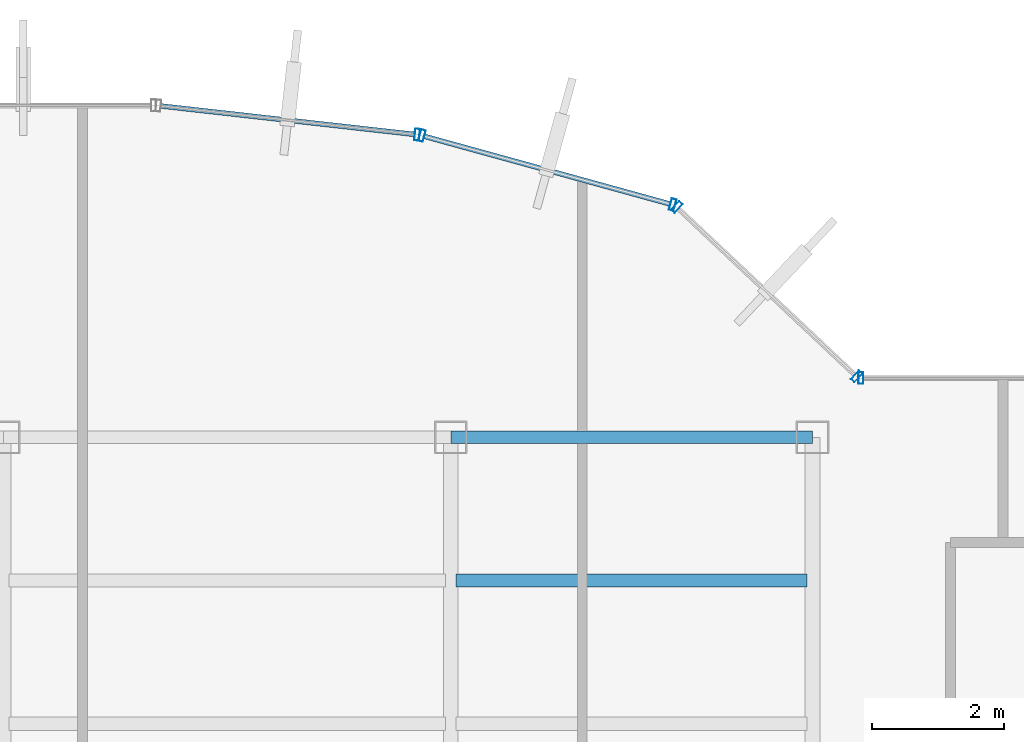
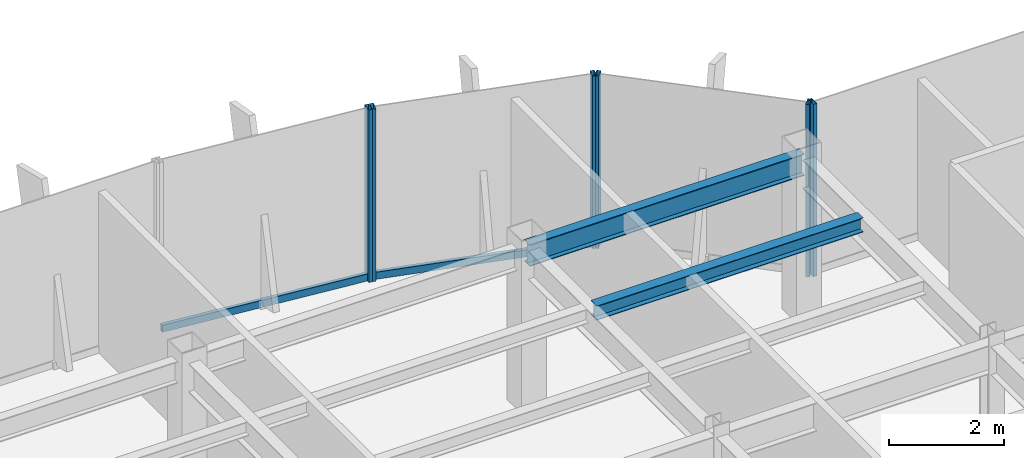
# One storey, part 14 of 22: 8 members, 2 beams, 4 elements without a shape of their own.
"""IFC4 building model written with IfcOpenShell, lengths in metres."""

from ifc_helpers import new_model, si_unit, derived_unit, direction, frame, origin, origin_2d, place, context, subcontext, project, spatial, hollow_rectangle, i_section, extrude, source, transform, mapped, material, material_profile, profile_set, type_object, element, aggregate, save


model = new_model("IFC4")

# Units and contexts
model_context = context("Model", 3, precision=1e-05, world=origin(), true_north=direction((0.0, 1.0)))
body_context = subcontext(model_context, "Body", "Model", "MODEL_VIEW")
ifc_project = project(units=[si_unit("LENGTHUNIT", "METRE"), si_unit("AREAUNIT", "SQUARE_METRE"), si_unit("VOLUMEUNIT", "CUBIC_METRE"), si_unit("PLANEANGLEUNIT", "RADIAN"), si_unit("MASSUNIT", "GRAM", prefix="KILO"), derived_unit("THERMALTRANSMITTANCEUNIT", [(si_unit("POWERUNIT", "WATT"), 1), (si_unit("LENGTHUNIT", "METRE"), -2), (si_unit("THERMODYNAMICTEMPERATUREUNIT", "KELVIN"), -1)])], contexts=[model_context])

# Site, building, storey
site_placement = place(None, origin())
site = spatial("IfcSite", under=ifc_project, at=site_placement, CompositionType="ELEMENT")
building_placement = place(site_placement, origin())
building = spatial("IfcBuilding", under=site, at=building_placement, Name="Skarnbrae Concourse Arena and Tower", CompositionType="ELEMENT")
storey_placement = place(building_placement, frame((0.0, 0.0, 273.39990234375)))
storey = spatial("IfcBuildingStorey", under=building, at=storey_placement, Name="L71", CompositionType="ELEMENT", Elevation=273.39990234375)

# Beams
ifc_material_1 = material(Name="Steel CSA G40.21 350W", Category="steel")
ifc_material_profile_1 = material_profile(ifc_material_1, i_section(OverallWidth=0.19091796875, OverallDepth=0.4599609375, WebThickness=0.010009765625, FlangeThickness=0.01611328125, at=origin_2d()), Name="W460X82")
ifc_profile_set_1 = profile_set([ifc_material_profile_1], Name="Steel CSA G40.21 350W")
beam_type_1 = type_object("IfcBeamType", Name="BM-SPAN-W460X82", PredefinedType="SPANDREL", material=ifc_profile_set_1)
shared_shape_1 = source(origin(), body_context, "Body", "SweptSolid", [
    extrude(i_section(OverallWidth=0.19091796875, OverallDepth=0.4599609375, WebThickness=0.010009765625, FlangeThickness=0.01611328125, at=origin_2d()), origin(), (0.0, 0.0, 1.0), 5.5),
])
beam_1_placement = place(storey_placement, frame((28.0, 34.39990234375, 3.170166015625), z_axis=(1.0, 0.0, 0.0), x_axis=(0.0, 1.0, 0.0)))
element("IfcBeam", 1, at=beam_1_placement, inside=storey, type_object=beam_type_1, Name="L71 Perimeter spandrel Y34.4-4", PredefinedType="SPANDREL", context=body_context, shape_type="MappedRepresentation", body=[
    mapped(shared_shape_1, transform((0.0, 0.0, 0.0))),
])
ifc_material_profile_2 = material_profile(ifc_material_1, i_section(OverallWidth=0.202880859375, OverallDepth=0.302978515625, WebThickness=0.007568359375, FlangeThickness=0.01318359375, at=origin_2d()), Name="W310X60")
ifc_profile_set_2 = profile_set([ifc_material_profile_2], Name="Steel CSA G40.21 350W")
beam_type_2 = type_object("IfcBeamType", Name="BM-JOIST-W310X60", PredefinedType="JOIST", material=ifc_profile_set_2)
shared_shape_2 = source(origin(), body_context, "Body", "SweptSolid", [
    extrude(i_section(OverallWidth=0.202880859375, OverallDepth=0.302978515625, WebThickness=0.007568359375, FlangeThickness=0.01318359375, at=origin_2d()), origin(), (0.0, 0.0, 1.0), 5.33984375),
])
beam_2_placement = place(storey_placement, frame((28.080078125, 32.221923828125, 3.24853515625), z_axis=(1.0, 0.0, 0.0), x_axis=(0.0, 1.0, 0.0)))
element("IfcBeam", 2, at=beam_2_placement, inside=storey, type_object=beam_type_2, Name="L71 Secondary floor joist 3.2.4", PredefinedType="JOIST", context=body_context, shape_type="MappedRepresentation", body=[
    mapped(shared_shape_2, transform((0.0, 0.0, 0.0))),
])

# Curtain wall, member
ifc_material_2 = material(Name="Bronze anodised aluminium 6063-T6", Category="aluminium")
curtain_wall_type = type_object("IfcCurtainWallType", Name="CW-SYS-05-HIGHZONE", PredefinedType="USERDEFINED", material=ifc_material_2)
curtain_wall_1_placement = place(storey_placement, origin())
curtain_wall_1 = element("IfcCurtainWall", 3, at=curtain_wall_1_placement, inside=storey, type_object=curtain_wall_type, Name="L71 Unitised curtain wall CW-L71-E09", ObjectType="UNITISED CURTAIN WALL", PredefinedType="USERDEFINED")
ifc_material_profile_3 = material_profile(ifc_material_2, hollow_rectangle(XDim=0.074951171875, YDim=0.14990234375, WallThickness=0.00390625, at=origin_2d()), Name="ALU-TRAN-75X150")
ifc_profile_set_3 = profile_set([ifc_material_profile_3], Name="Bronze anodised aluminium 6063-T6")
member_type_1 = type_object("IfcMemberType", Name="CWT-CW-05", PredefinedType="USERDEFINED", material=ifc_profile_set_3)
shared_shape_3 = source(origin(), body_context, "Body", "SweptSolid", [
    extrude(hollow_rectangle(XDim=0.074951171875, YDim=0.14990234375, WallThickness=0.00390625, at=origin_2d()), origin(), (0.0, 0.0, 1.0), 3.878662109375),
])
member_1_placement = place(storey_placement, frame((31.33740234375, 37.946533203125, 0.0751953125), z_axis=(-0.964042677713, 0.265747465742, 0.0), x_axis=(-0.265747465742, -0.964042677713, 0.0)))
member_1 = element("IfcMember", 4, at=member_1_placement, type_object=member_type_1, Name="CW-L71-E09 Transom 1", ObjectType="TRANSOM", PredefinedType="USERDEFINED", context=body_context, shape_type="MappedRepresentation", body=[
    mapped(shared_shape_3, transform((0.0, 0.0, 0.0))),
])

curtain_wall_2_placement = place(storey_placement, origin())
curtain_wall_2 = element("IfcCurtainWall", 5, at=curtain_wall_2_placement, inside=storey, type_object=curtain_wall_type, Name="L71 Unitised curtain wall CW-L71-E10", ObjectType="UNITISED CURTAIN WALL", PredefinedType="USERDEFINED")
shared_shape_4 = source(origin(), body_context, "Body", "SweptSolid", [
    extrude(hollow_rectangle(XDim=0.074951171875, YDim=0.14990234375, WallThickness=0.00390625, at=origin_2d()), origin(), (0.0, 0.0, 1.0), 3.8837890625),
])
member_2_placement = place(storey_placement, frame((27.451416015625, 39.005615234375, 0.0751953125), z_axis=(-0.993776714154, 0.111390495128, 0.0), x_axis=(-0.111390495128, -0.993776714154, 0.0)))
member_2 = element("IfcMember", 6, at=member_2_placement, type_object=member_type_1, Name="CW-L71-E10 Transom 1", ObjectType="TRANSOM", PredefinedType="USERDEFINED", context=body_context, shape_type="MappedRepresentation", body=[
    mapped(shared_shape_4, transform((0.0, 0.0, 0.0))),
])

curtain_wall_3_placement = place(storey_placement, origin())
curtain_wall_3 = element("IfcCurtainWall", 7, at=curtain_wall_3_placement, inside=storey, type_object=curtain_wall_type, Name="L71 Unitised curtain wall CW-L71-E07", ObjectType="UNITISED CURTAIN WALL", PredefinedType="USERDEFINED")
ifc_material_profile_4 = material_profile(ifc_material_2, hollow_rectangle(XDim=0.074951171875, YDim=0.179931640625, WallThickness=0.00390625, at=origin_2d()), Name="ALU-MULL-75X180")
ifc_profile_set_4 = profile_set([ifc_material_profile_4], Name="Bronze anodised aluminium 6063-T6")
member_type_2 = type_object("IfcMemberType", Name="CWM-CW-05", PredefinedType="MULLION", material=ifc_profile_set_4)
shared_shape_5 = source(origin(), body_context, "Body", "SweptSolid", [
    extrude(hollow_rectangle(XDim=0.074951171875, YDim=0.179931640625, WallThickness=0.00390625, at=origin_2d()), origin(), (0.0, 0.0, 1.0), 3.650146484375),
])
member_3_placement = place(storey_placement, frame((34.237548828125, 35.300048828125, 0.0), z_axis=(0.0, 0.0, 1.0), x_axis=(-1.0, 0.0, 0.0)))
member_3 = element("IfcMember", 8, at=member_3_placement, type_object=member_type_2, Name="CW-L71-E07 Mullion 2", PredefinedType="MULLION", context=body_context, shape_type="MappedRepresentation", body=[
    mapped(shared_shape_5, transform((0.0, 0.0, 0.0))),
])
aggregate(curtain_wall_3, [member_3])

# Curtain wall, members
curtain_wall_4_placement = place(storey_placement, origin())
curtain_wall_4 = element("IfcCurtainWall", 9, at=curtain_wall_4_placement, inside=storey, type_object=curtain_wall_type, Name="L71 Unitised curtain wall CW-L71-E08", ObjectType="UNITISED CURTAIN WALL", PredefinedType="USERDEFINED")
member_4_placement = place(storey_placement, frame((34.172607421875, 35.32568359375, 0.0), z_axis=(0.0, 0.0, 1.0), x_axis=(-0.728130555214, 0.685438468838, 0.0)))
member_4 = element("IfcMember", 10, at=member_4_placement, type_object=member_type_2, Name="CW-L71-E08 Mullion 1", PredefinedType="MULLION", context=body_context, shape_type="MappedRepresentation", body=[
    mapped(shared_shape_5, transform((0.0, 0.0, 0.0))),
])
member_5_placement = place(storey_placement, frame((31.43701171875, 37.90087890625, 0.0), z_axis=(0.0, 0.0, 1.0), x_axis=(-0.728130555214, 0.685438468838, 0.0)))
member_5 = element("IfcMember", 11, at=member_5_placement, type_object=member_type_2, Name="CW-L71-E08 Mullion 2", PredefinedType="MULLION", context=body_context, shape_type="MappedRepresentation", body=[
    mapped(shared_shape_5, transform((0.0, 0.0, 0.0))),
])
aggregate(curtain_wall_4, [member_4, member_5])

# Member
member_6_placement = place(storey_placement, frame((31.37353515625, 37.936767578125, 0.0), z_axis=(0.0, 0.0, 1.0), x_axis=(-0.964057388766, 0.265694093207, 0.0)))
member_6 = element("IfcMember", 12, at=member_6_placement, type_object=member_type_2, Name="CW-L71-E09 Mullion 1", PredefinedType="MULLION", context=body_context, shape_type="MappedRepresentation", body=[
    mapped(shared_shape_5, transform((0.0, 0.0, 0.0))),
])

member_7_placement = place(storey_placement, frame((27.56201171875, 38.987060546875, 0.0), z_axis=(0.0, 0.0, 1.0), x_axis=(-0.964057388766, 0.265694093207, 0.0)))
member_7 = element("IfcMember", 13, at=member_7_placement, type_object=member_type_2, Name="CW-L71-E09 Mullion 2", PredefinedType="MULLION", context=body_context, shape_type="MappedRepresentation", body=[
    mapped(shared_shape_5, transform((0.0, 0.0, 0.0))),
])

aggregate(curtain_wall_1, [member_6, member_7, member_1])

member_8_placement = place(storey_placement, frame((27.488525390625, 39.001220703125, 0.0), z_axis=(0.0, 0.0, 1.0), x_axis=(-0.993768891873, 0.111460259941, 0.0)))
member_8 = element("IfcMember", 14, at=member_8_placement, type_object=member_type_2, Name="CW-L71-E10 Mullion 1", PredefinedType="MULLION", context=body_context, shape_type="MappedRepresentation", body=[
    mapped(shared_shape_5, transform((0.0, 0.0, 0.0))),
])

aggregate(curtain_wall_2, [member_8, member_2])

save(model, "model.ifc")
